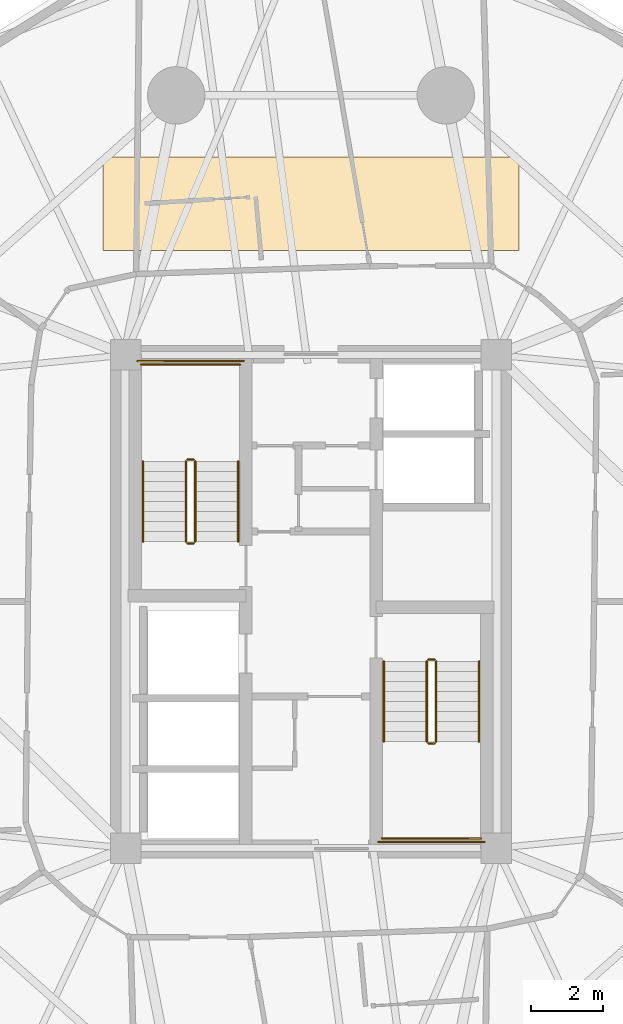
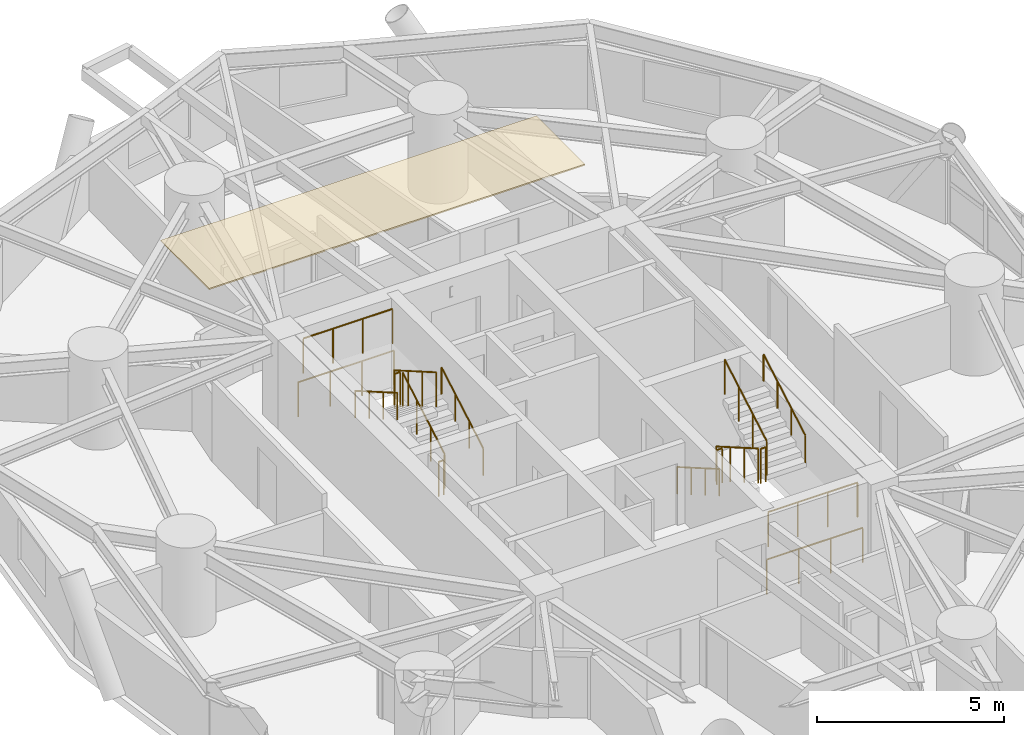
# One storey, part 17 of 18: 16 railings, 1 covering.
"""IFC4 building model written with IfcOpenShell, lengths in metres."""

from ifc_helpers import new_model, si_unit, direction, frame, origin, origin_2d, place, context, subcontext, project, spatial, polyline, circle, outline, extrude, material, layer, layer_set, type_object, element, save


model = new_model("IFC4")

# Units and contexts
model_context = context("Model", 3, precision=1e-05, world=origin(), true_north=direction((0.0, 1.0)))
body_context = subcontext(model_context, "Body", "Model", "MODEL_VIEW")
ifc_project = project(units=[si_unit("LENGTHUNIT", "METRE"), si_unit("AREAUNIT", "SQUARE_METRE"), si_unit("VOLUMEUNIT", "CUBIC_METRE"), si_unit("PLANEANGLEUNIT", "RADIAN"), si_unit("MASSUNIT", "GRAM", prefix="KILO")], contexts=[model_context])

# Site, building, storey
site_placement = place(None, origin())
site = spatial("IfcSite", under=ifc_project, at=site_placement, CompositionType="ELEMENT")
building_placement = place(site_placement, origin())
building = spatial("IfcBuilding", under=site, at=building_placement, Name="Cununo Teusaquillo Station Towers", CompositionType="ELEMENT")
storey_placement = place(building_placement, frame((0.0, 0.0, 36.550048828125)))
storey = spatial("IfcBuildingStorey", under=building, at=storey_placement, Name="L10", CompositionType="ELEMENT", Elevation=36.550048828125)

# Covering
ifc_material_1 = material(Name="Mineral-fibre acoustic suspended ceiling tile", Category="finish")
ifc_layer = layer(ifc_material_1, 0.044921875)
ifc_layer_set = layer_set([ifc_layer], Name="Mineral-fibre acoustic suspended ceiling tile")
covering_type = type_object("IfcCoveringType", Name="COV-CEIL-600", PredefinedType="CEILING", material=ifc_layer_set)
covering_placement = place(storey_placement, frame((0.0, 0.0, 2.60498046875)))
element("IfcCovering", 1, at=covering_placement, inside=storey, type_object=covering_type, Name="L10 Tower A Acoustic Ceiling", PredefinedType="CEILING", context=body_context, shape_type="SweptSolid", body=[
    extrude(outline(polyline([(22.300048828125, 36.89990234375), (22.300048828125, 34.300048828125), (10.699951171875, 34.300048828125), (10.699951171875, 36.89990234375), (22.300048828125, 36.89990234375)])), origin(), (0.0, 0.0, 1.0), 0.044921875),
])

# Railings
ifc_material_2 = material(Name="Steel EN 10025-2 S355J2", Category="steel")
railing_type_1 = type_object("IfcRailingType", Name="RL-INT-GUARD", PredefinedType="GUARDRAIL", material=ifc_material_2)
railing_1_placement = place(storey_placement, frame((13.27001953125, 26.169921875, 0.16162109375)))
element("IfcRailing", 2, at=railing_1_placement, inside=storey, type_object=railing_type_1, Name="L10 ST-T1-1 stair guard 1", PredefinedType="GUARDRAIL", context=body_context, shape_type="SweptSolid", body=[
    extrude(circle(Radius=0.02392578125, at=origin_2d()), frame((0.0, 0.0, 1.1259765625), z_axis=(0.0, 0.866033117094, 0.499986639918), x_axis=(-1.0, 0.0, 0.0)), (0.0, 0.0, 1.0), 2.58642578125),
    extrude(circle(Radius=0.02099609375, at=origin_2d()), origin(), (0.0, 0.0, 1.0), 1.101806640625),
    extrude(circle(Radius=0.02099609375, at=origin_2d()), frame((0.0, 0.74658203125, 0.43115234375)), (0.0, 0.0, 1.0), 1.101806640625),
    extrude(circle(Radius=0.02099609375, at=origin_2d()), frame((0.0, 1.493408203125, 0.862060546875)), (0.0, 0.0, 1.0), 1.101806640625),
    extrude(circle(Radius=0.02099609375, at=origin_2d()), frame((0.0, 2.239990234375, 1.293212890625)), (0.0, 0.0, 1.0), 1.101806640625),
])
railing_2_placement = place(storey_placement, frame((13.219970703125, 28.4599609375, 1.454833984375)))
element("IfcRailing", 3, at=railing_2_placement, inside=storey, type_object=railing_type_1, Name="L10 ST-T1-1 stair guard 2", PredefinedType="GUARDRAIL", context=body_context, shape_type="SweptSolid", body=[
    extrude(circle(Radius=0.02392578125, at=origin_2d()), frame((0.0, 0.0, 1.1259765625), z_axis=(-1.0, 0.0, 0.0), x_axis=(0.0, -1.0, 0.0)), (0.0, 0.0, 1.0), 0.159912109375),
    extrude(circle(Radius=0.02099609375, at=origin_2d()), origin(), (0.0, 0.0, 1.0), 1.101806640625),
    extrude(circle(Radius=0.02099609375, at=origin_2d()), frame((-0.159912109375, 0.0, 0.0)), (0.0, 0.0, 1.0), 1.101806640625),
])
railing_3_placement = place(storey_placement, frame((14.52001953125, 31.110107421875, 1.454833984375)))
element("IfcRailing", 4, at=railing_3_placement, inside=storey, type_object=railing_type_1, Name="L10 ST-T1-1 stair guard 3", PredefinedType="GUARDRAIL", context=body_context, shape_type="SweptSolid", body=[
    extrude(circle(Radius=0.02392578125, at=origin_2d()), frame((0.0, 0.0, 1.1259765625), z_axis=(-1.0, 0.0, 0.0), x_axis=(0.0, -1.0, 0.0)), (0.0, 0.0, 1.0), 2.760009765625),
    extrude(circle(Radius=0.02099609375, at=origin_2d()), origin(), (0.0, 0.0, 1.0), 1.101806640625),
    extrude(circle(Radius=0.02099609375, at=origin_2d()), frame((-0.919921875, 0.0, 0.0)), (0.0, 0.0, 1.0), 1.101806640625),
    extrude(circle(Radius=0.02099609375, at=origin_2d()), frame((-1.840087890625, 0.0, 0.0)), (0.0, 0.0, 1.0), 1.101806640625),
    extrude(circle(Radius=0.02099609375, at=origin_2d()), frame((-2.760009765625, 0.0, 0.0)), (0.0, 0.0, 1.0), 1.101806640625),
])
railing_4_placement = place(storey_placement, frame((13.010009765625, 28.409912109375, 1.61669921875)))
element("IfcRailing", 5, at=railing_4_placement, inside=storey, type_object=railing_type_1, Name="L10 ST-T1-1 stair guard 4", PredefinedType="GUARDRAIL", context=body_context, shape_type="SweptSolid", body=[
    extrude(circle(Radius=0.02392578125, at=origin_2d()), frame((0.0, 0.0, 1.1259765625), z_axis=(0.0, -0.866033117094, 0.499986639918), x_axis=(1.0, 0.0, 0.0)), (0.0, 0.0, 1.0), 2.58642578125),
    extrude(circle(Radius=0.02099609375, at=origin_2d()), origin(), (0.0, 0.0, 1.0), 1.101806640625),
    extrude(circle(Radius=0.02099609375, at=origin_2d()), frame((0.0, -0.74658203125, 0.43115234375)), (0.0, 0.0, 1.0), 1.101806640625),
    extrude(circle(Radius=0.02099609375, at=origin_2d()), frame((0.0, -1.493408203125, 0.862060546875)), (0.0, 0.0, 1.0), 1.101806640625),
    extrude(circle(Radius=0.02099609375, at=origin_2d()), frame((0.0, -2.239990234375, 1.293212890625)), (0.0, 0.0, 1.0), 1.101806640625),
])
railing_5_placement = place(storey_placement, frame((13.219970703125, 26.1201171875, 0.0)))
element("IfcRailing", 6, at=railing_5_placement, inside=storey, type_object=railing_type_1, Name="L10 ST-T1-1 stair guard 5", PredefinedType="GUARDRAIL", context=body_context, shape_type="SweptSolid", body=[
    extrude(circle(Radius=0.02392578125, at=origin_2d()), frame((0.0, 0.0, 1.1259765625), z_axis=(-1.0, 0.0, 0.0), x_axis=(0.0, -1.0, 0.0)), (0.0, 0.0, 1.0), 0.159912109375),
    extrude(circle(Radius=0.02099609375, at=origin_2d()), origin(), (0.0, 0.0, 1.0), 1.101806640625),
    extrude(circle(Radius=0.02099609375, at=origin_2d()), frame((-0.159912109375, 0.0, 0.0)), (0.0, 0.0, 1.0), 1.101806640625),
])
railing_6_placement = place(storey_placement, frame((14.6201171875, 31.2099609375, 0.0)))
element("IfcRailing", 7, at=railing_6_placement, inside=storey, type_object=railing_type_1, Name="L10 ST-T1-1 stair guard 6", PredefinedType="GUARDRAIL", context=body_context, shape_type="SweptSolid", body=[
    extrude(circle(Radius=0.02392578125, at=origin_2d()), frame((0.0, 0.0, 1.1259765625), z_axis=(-1.0, 0.0, 0.0), x_axis=(0.0, -1.0, 0.0)), (0.0, 0.0, 1.0), 2.960205078125),
    extrude(circle(Radius=0.02099609375, at=origin_2d()), origin(), (0.0, 0.0, 1.0), 1.101806640625),
    extrude(circle(Radius=0.02099609375, at=origin_2d()), frame((-0.98681640625, 0.0, 0.0)), (0.0, 0.0, 1.0), 1.101806640625),
    extrude(circle(Radius=0.02099609375, at=origin_2d()), frame((-1.973388671875, 0.0, 0.0)), (0.0, 0.0, 1.0), 1.101806640625),
    extrude(circle(Radius=0.02099609375, at=origin_2d()), frame((-2.960205078125, 0.0, 0.0)), (0.0, 0.0, 1.0), 1.101806640625),
])
railing_7_placement = place(storey_placement, frame((19.72998046875, 22.830078125, 0.16162109375)))
element("IfcRailing", 8, at=railing_7_placement, inside=storey, type_object=railing_type_1, Name="L10 ST-T1-2 stair guard 1", PredefinedType="GUARDRAIL", context=body_context, shape_type="SweptSolid", body=[
    extrude(circle(Radius=0.02392578125, at=origin_2d()), frame((0.0, 0.0, 1.1259765625), z_axis=(0.0, -0.866033117094, 0.499986639918), x_axis=(1.0, 0.0, 0.0)), (0.0, 0.0, 1.0), 2.58642578125),
    extrude(circle(Radius=0.02099609375, at=origin_2d()), origin(), (0.0, 0.0, 1.0), 1.101806640625),
    extrude(circle(Radius=0.02099609375, at=origin_2d()), frame((0.0, -0.74658203125, 0.43115234375)), (0.0, 0.0, 1.0), 1.101806640625),
    extrude(circle(Radius=0.02099609375, at=origin_2d()), frame((0.0, -1.493408203125, 0.862060546875)), (0.0, 0.0, 1.0), 1.101806640625),
    extrude(circle(Radius=0.02099609375, at=origin_2d()), frame((0.0, -2.239990234375, 1.293212890625)), (0.0, 0.0, 1.0), 1.101806640625),
])
railing_8_placement = place(storey_placement, frame((19.780029296875, 20.5400390625, 1.454833984375)))
element("IfcRailing", 9, at=railing_8_placement, inside=storey, type_object=railing_type_1, Name="L10 ST-T1-2 stair guard 2", PredefinedType="GUARDRAIL", context=body_context, shape_type="SweptSolid", body=[
    extrude(circle(Radius=0.02392578125, at=origin_2d()), frame((0.0, 0.0, 1.1259765625), z_axis=(1.0, 0.0, 0.0), x_axis=(0.0, 1.0, 0.0)), (0.0, 0.0, 1.0), 0.159912109375),
    extrude(circle(Radius=0.02099609375, at=origin_2d()), origin(), (0.0, 0.0, 1.0), 1.101806640625),
    extrude(circle(Radius=0.02099609375, at=origin_2d()), frame((0.159912109375, 0.0, 0.0)), (0.0, 0.0, 1.0), 1.101806640625),
])
railing_9_placement = place(storey_placement, frame((18.47998046875, 17.889892578125, 1.454833984375)))
element("IfcRailing", 10, at=railing_9_placement, inside=storey, type_object=railing_type_1, Name="L10 ST-T1-2 stair guard 3", PredefinedType="GUARDRAIL", context=body_context, shape_type="SweptSolid", body=[
    extrude(circle(Radius=0.02392578125, at=origin_2d()), frame((0.0, 0.0, 1.1259765625), z_axis=(1.0, 0.0, 0.0), x_axis=(0.0, 1.0, 0.0)), (0.0, 0.0, 1.0), 2.760009765625),
    extrude(circle(Radius=0.02099609375, at=origin_2d()), origin(), (0.0, 0.0, 1.0), 1.101806640625),
    extrude(circle(Radius=0.02099609375, at=origin_2d()), frame((0.919921875, 0.0, 0.0)), (0.0, 0.0, 1.0), 1.101806640625),
    extrude(circle(Radius=0.02099609375, at=origin_2d()), frame((1.840087890625, 0.0, 0.0)), (0.0, 0.0, 1.0), 1.101806640625),
    extrude(circle(Radius=0.02099609375, at=origin_2d()), frame((2.760009765625, 0.0, 0.0)), (0.0, 0.0, 1.0), 1.101806640625),
])
railing_10_placement = place(storey_placement, frame((19.989990234375, 20.590087890625, 1.61669921875)))
element("IfcRailing", 11, at=railing_10_placement, inside=storey, type_object=railing_type_1, Name="L10 ST-T1-2 stair guard 4", PredefinedType="GUARDRAIL", context=body_context, shape_type="SweptSolid", body=[
    extrude(circle(Radius=0.02392578125, at=origin_2d()), frame((0.0, 0.0, 1.1259765625), z_axis=(0.0, 0.866033117094, 0.499986639918), x_axis=(-1.0, 0.0, 0.0)), (0.0, 0.0, 1.0), 2.58642578125),
    extrude(circle(Radius=0.02099609375, at=origin_2d()), origin(), (0.0, 0.0, 1.0), 1.101806640625),
    extrude(circle(Radius=0.02099609375, at=origin_2d()), frame((0.0, 0.74658203125, 0.43115234375)), (0.0, 0.0, 1.0), 1.101806640625),
    extrude(circle(Radius=0.02099609375, at=origin_2d()), frame((0.0, 1.493408203125, 0.862060546875)), (0.0, 0.0, 1.0), 1.101806640625),
    extrude(circle(Radius=0.02099609375, at=origin_2d()), frame((0.0, 2.239990234375, 1.293212890625)), (0.0, 0.0, 1.0), 1.101806640625),
])
railing_11_placement = place(storey_placement, frame((19.780029296875, 22.8798828125, 0.0)))
element("IfcRailing", 12, at=railing_11_placement, inside=storey, type_object=railing_type_1, Name="L10 ST-T1-2 stair guard 5", PredefinedType="GUARDRAIL", context=body_context, shape_type="SweptSolid", body=[
    extrude(circle(Radius=0.02392578125, at=origin_2d()), frame((0.0, 0.0, 1.1259765625), z_axis=(1.0, 0.0, 0.0), x_axis=(0.0, 1.0, 0.0)), (0.0, 0.0, 1.0), 0.159912109375),
    extrude(circle(Radius=0.02099609375, at=origin_2d()), origin(), (0.0, 0.0, 1.0), 1.101806640625),
    extrude(circle(Radius=0.02099609375, at=origin_2d()), frame((0.159912109375, 0.0, 0.0)), (0.0, 0.0, 1.0), 1.101806640625),
])
railing_12_placement = place(storey_placement, frame((18.3798828125, 17.7900390625, 0.0)))
element("IfcRailing", 13, at=railing_12_placement, inside=storey, type_object=railing_type_1, Name="L10 ST-T1-2 stair guard 6", PredefinedType="GUARDRAIL", context=body_context, shape_type="SweptSolid", body=[
    extrude(circle(Radius=0.02392578125, at=origin_2d()), frame((0.0, 0.0, 1.1259765625), z_axis=(1.0, 0.0, 0.0), x_axis=(0.0, 1.0, 0.0)), (0.0, 0.0, 1.0), 2.960205078125),
    extrude(circle(Radius=0.02099609375, at=origin_2d()), origin(), (0.0, 0.0, 1.0), 1.101806640625),
    extrude(circle(Radius=0.02099609375, at=origin_2d()), frame((0.98681640625, 0.0, 0.0)), (0.0, 0.0, 1.0), 1.101806640625),
    extrude(circle(Radius=0.02099609375, at=origin_2d()), frame((1.973388671875, 0.0, 0.0)), (0.0, 0.0, 1.0), 1.101806640625),
    extrude(circle(Radius=0.02099609375, at=origin_2d()), frame((2.960205078125, 0.0, 0.0)), (0.0, 0.0, 1.0), 1.101806640625),
])
ifc_material_3 = material(Name="Steel EN 10025-2 S355J2", Category="steel")
railing_type_2 = type_object("IfcRailingType", Name="RL-INT-HRAIL", PredefinedType="HANDRAIL", material=ifc_material_3)
railing_13_placement = place(storey_placement, frame((14.469970703125, 26.169921875, 0.16162109375)))
element("IfcRailing", 14, at=railing_13_placement, inside=storey, type_object=railing_type_2, Name="L10 ST-T1-1 stair handrail 1", PredefinedType="HANDRAIL", context=body_context, shape_type="SweptSolid", body=[
    extrude(circle(Radius=0.02392578125, at=origin_2d()), frame((0.0, 0.0, 0.8759765625), z_axis=(0.0, 0.866033117094, 0.499986639918), x_axis=(-1.0, 0.0, 0.0)), (0.0, 0.0, 1.0), 2.58642578125),
    extrude(circle(Radius=0.02099609375, at=origin_2d()), origin(), (0.0, 0.0, 1.0), 0.851806640625),
    extrude(circle(Radius=0.02099609375, at=origin_2d()), frame((0.0, 0.74658203125, 0.43115234375)), (0.0, 0.0, 1.0), 0.851806640625),
    extrude(circle(Radius=0.02099609375, at=origin_2d()), frame((0.0, 1.493408203125, 0.862060546875)), (0.0, 0.0, 1.0), 0.851806640625),
    extrude(circle(Radius=0.02099609375, at=origin_2d()), frame((0.0, 2.239990234375, 1.293212890625)), (0.0, 0.0, 1.0), 0.851806640625),
])
for number, where, name in (
    (15, (11.81005859375, 28.409912109375, 1.61669921875), "L10 ST-T1-1 stair handrail 2"),
    (16, (18.530029296875, 22.830078125, 0.16162109375), "L10 ST-T1-2 stair handrail 1"),
):
    element("IfcRailing", number, at=place(storey_placement, frame(where)), inside=storey, type_object=railing_type_2, Name=name, PredefinedType="HANDRAIL", context=body_context, shape_type="SweptSolid", body=[
        extrude(circle(Radius=0.02392578125, at=origin_2d()), frame((0.0, 0.0, 0.8759765625), z_axis=(0.0, -0.866033117094, 0.499986639918), x_axis=(1.0, 0.0, 0.0)), (0.0, 0.0, 1.0), 2.58642578125),
        extrude(circle(Radius=0.02099609375, at=origin_2d()), origin(), (0.0, 0.0, 1.0), 0.851806640625),
        extrude(circle(Radius=0.02099609375, at=origin_2d()), frame((0.0, -0.74658203125, 0.43115234375)), (0.0, 0.0, 1.0), 0.851806640625),
        extrude(circle(Radius=0.02099609375, at=origin_2d()), frame((0.0, -1.493408203125, 0.862060546875)), (0.0, 0.0, 1.0), 0.851806640625),
        extrude(circle(Radius=0.02099609375, at=origin_2d()), frame((0.0, -2.239990234375, 1.293212890625)), (0.0, 0.0, 1.0), 0.851806640625),
    ])
railing_14_placement = place(storey_placement, frame((21.18994140625, 20.590087890625, 1.61669921875)))
element("IfcRailing", 17, at=railing_14_placement, inside=storey, type_object=railing_type_2, Name="L10 ST-T1-2 stair handrail 2", PredefinedType="HANDRAIL", context=body_context, shape_type="SweptSolid", body=[
    extrude(circle(Radius=0.02392578125, at=origin_2d()), frame((0.0, 0.0, 0.8759765625), z_axis=(0.0, 0.866033117094, 0.499986639918), x_axis=(-1.0, 0.0, 0.0)), (0.0, 0.0, 1.0), 2.58642578125),
    extrude(circle(Radius=0.02099609375, at=origin_2d()), origin(), (0.0, 0.0, 1.0), 0.851806640625),
    extrude(circle(Radius=0.02099609375, at=origin_2d()), frame((0.0, 0.74658203125, 0.43115234375)), (0.0, 0.0, 1.0), 0.851806640625),
    extrude(circle(Radius=0.02099609375, at=origin_2d()), frame((0.0, 1.493408203125, 0.862060546875)), (0.0, 0.0, 1.0), 0.851806640625),
    extrude(circle(Radius=0.02099609375, at=origin_2d()), frame((0.0, 2.239990234375, 1.293212890625)), (0.0, 0.0, 1.0), 0.851806640625),
])

save(model, "model.ifc")
